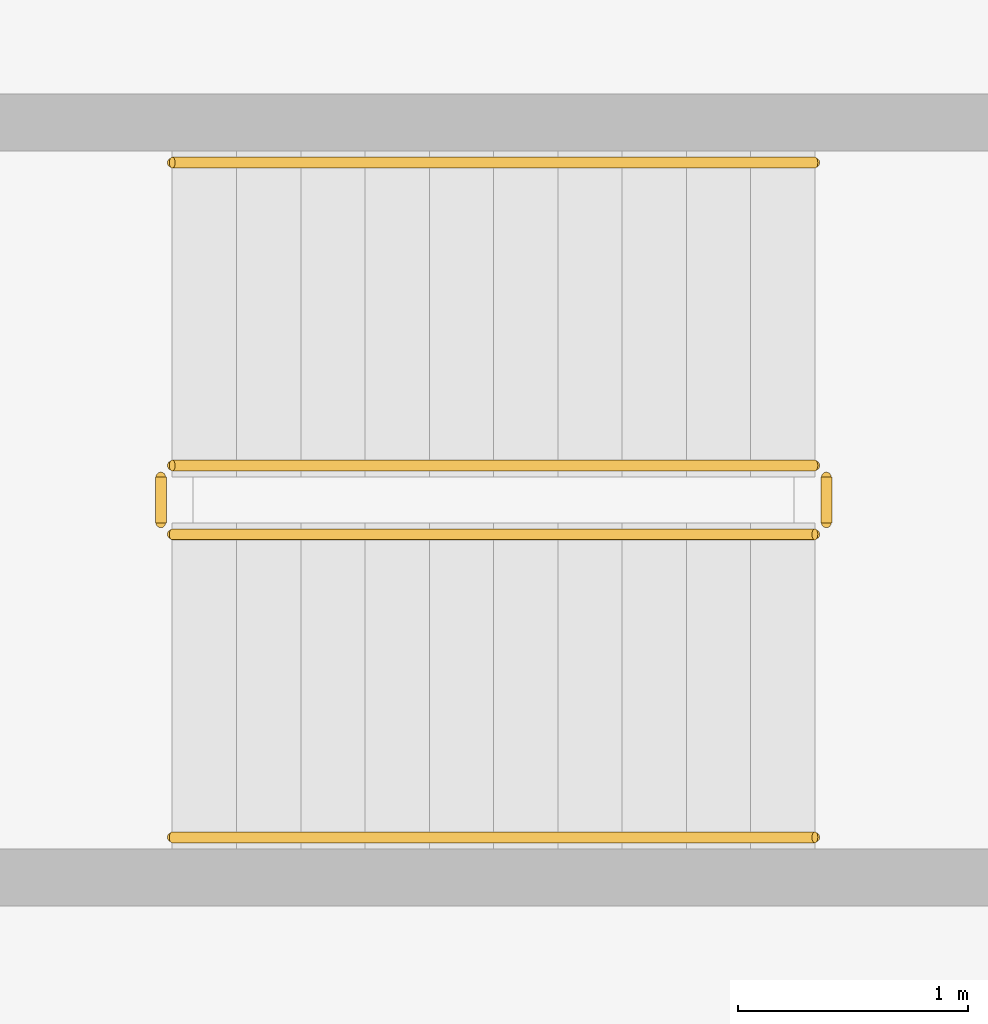
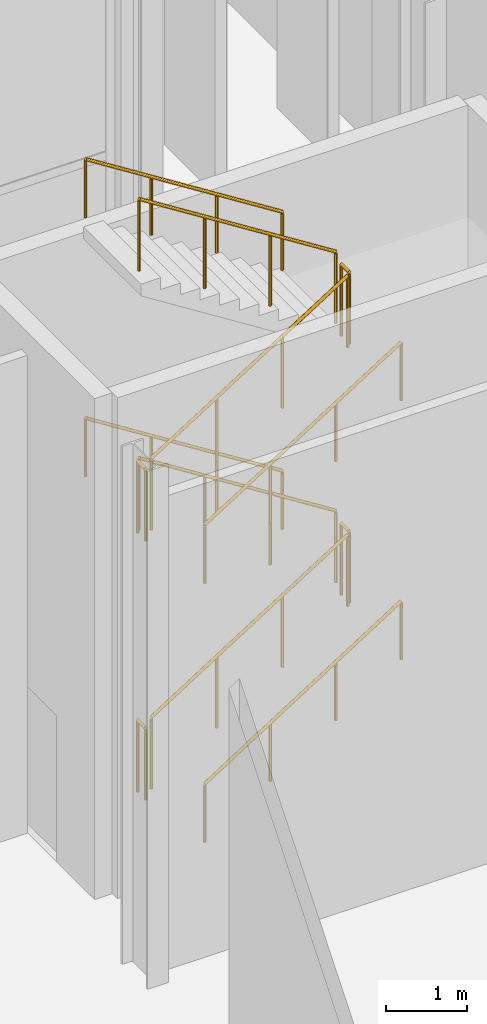
# One storey, part 166 of 176: 12 railings.
"""IFC4 building model written with IfcOpenShell, lengths in metres."""

import ifcopenshell
import ifcopenshell.guid

model = None  # the IFC model being written
_history = None  # IfcOwnerHistory: only IFC2X3 demands one
_inside = {}  # id of a spatial element -> (the spatial element, [elements in it])
_under = {}  # id of a project, library or spatial element -> (it, [spatial elements below it])
_declared = {}  # id of a project -> (the project, [libraries it declares])
_typed = {}  # id of a type object -> (the type object, [elements of that type])
_made_of = {}  # id of a material, layer set ... -> (it, [elements and type objects made of it])


def new_model(schema):
    """Start an empty IFC model of exactly this schema.

    Asked for "IFC4X3", IfcOpenShell would pick the latest addendum, in which some entities
    have other attributes; the version numbers below select the first issue.
    IFC2X3 requires an IfcOwnerHistory on every rooted entity: one is made here for all.
    """
    global model, _history
    if schema == "IFC4X3":
        model = ifcopenshell.file(schema_version=(4, 3, 0, 0))
    else:
        model = ifcopenshell.file(schema=schema)
    _inside.clear()
    _under.clear()
    _declared.clear()
    _typed.clear()
    _made_of.clear()
    _history = None
    if model.schema == "IFC2X3":
        org = make("IfcOrganization", Name="unknown")
        user = make(
            "IfcPersonAndOrganization",
            ThePerson=make("IfcPerson", FamilyName="unknown"),
            TheOrganization=org,
        )
        app = make(
            "IfcApplication",
            ApplicationDeveloper=org,
            Version="unknown",
            ApplicationFullName="unknown",
            ApplicationIdentifier="unknown",
        )
        _history = make(
            "IfcOwnerHistory",
            OwningUser=user,
            OwningApplication=app,
            ChangeAction="ADDED",
            CreationDate=0,
        )
    return model


def make(cls, **values):
    """One entity of the class cls with the attributes given. An attribute that is None is left unset."""
    return model.create_entity(
        cls, **{name: value for name, value in values.items() if value is not None}
    )


def rooted(cls, **values):
    """An entity with a GlobalId (a new one), such as an element, a storey or a relation."""
    return make(cls, GlobalId=ifcopenshell.guid.new(), OwnerHistory=_history, **values)


def si_unit(unit_type, name, prefix=None):
    """IfcSIUnit, for example si_unit("LENGTHUNIT", "METRE", prefix="MILLI")."""
    return make("IfcSIUnit", UnitType=unit_type, Prefix=prefix, Name=name)


def assignment(units):
    """IfcUnitAssignment: the units of a project."""
    return None if units is None else make("IfcUnitAssignment", Units=units)


def point(xyz):
    """IfcCartesianPoint."""
    return None if xyz is None else make("IfcCartesianPoint", Coordinates=xyz)


def direction(xyz):
    """IfcDirection."""
    return None if xyz is None else make("IfcDirection", DirectionRatios=xyz)


def frame(location, z_axis=None, x_axis=None):
    """IfcAxis2Placement3D, a coordinate frame: its origin and axes. An axis left out is left unset."""
    return make(
        "IfcAxis2Placement3D",
        Location=point(location),
        Axis=direction(z_axis),
        RefDirection=direction(x_axis),
    )


def frame_2d(location, x_axis=None):
    """IfcAxis2Placement2D, a coordinate frame in the plane: its origin and x axis."""
    return make(
        "IfcAxis2Placement2D", Location=point(location), RefDirection=direction(x_axis)
    )


def origin():
    """The frame at (0, 0, 0) with its axes left unset."""
    return frame((0.0, 0.0, 0.0))


def origin_2d():
    """The frame at (0, 0) in the plane with its x axis left unset."""
    return frame_2d((0.0, 0.0))


def place(relative_to, where):
    """IfcLocalPlacement: puts the frame where relative to a parent placement (None: the world)."""
    return make(
        "IfcLocalPlacement", PlacementRelTo=relative_to, RelativePlacement=where
    )


def context(
    kind, dimensions, precision=None, world=None, true_north=None, identifier=None
):
    """IfcGeometricRepresentationContext, for example the 3D "Model" context."""
    return make(
        "IfcGeometricRepresentationContext",
        ContextIdentifier=identifier,
        ContextType=kind,
        CoordinateSpaceDimension=dimensions,
        Precision=precision,
        WorldCoordinateSystem=world,
        TrueNorth=true_north,
    )


def subcontext(parent, identifier, kind, view, scale=None):
    """IfcGeometricRepresentationSubContext, for example "Body" below "Model"."""
    return make(
        "IfcGeometricRepresentationSubContext",
        ContextIdentifier=identifier,
        ContextType=kind,
        ParentContext=parent,
        TargetScale=scale,
        TargetView=view,
    )


def project(units=None, contexts=None):
    """IfcProject with its units and contexts."""
    return rooted(
        "IfcProject",
        Name="project",
        RepresentationContexts=contexts,
        UnitsInContext=assignment(units),
    )


def spatial(cls, under=None, at=None, **own):
    """A site, building, storey or space (cls), placed at a placement, below another one or the project."""
    s = rooted(cls, ObjectPlacement=at, **own)
    if under is not None:
        _under.setdefault(under.id(), (under, []))[1].append(s)
    return s


def profile(cls, at=None, kind="AREA", **sizes):
    """A parametric profile (cls). Its sizes go by their IFC names, for example OverallWidth=200.0."""
    return make(cls, ProfileType=kind, Position=at, **sizes)


def circle(**sizes):
    """IfcCircleProfileDef."""
    return profile("IfcCircleProfileDef", **sizes)


def extrude(swept, where, along, depth):
    """IfcExtrudedAreaSolid: the profile swept, set in the frame where, extruded along a direction by depth."""
    return make(
        "IfcExtrudedAreaSolid",
        SweptArea=swept,
        Position=where,
        ExtrudedDirection=direction(along),
        Depth=depth,
    )


def shape(context_of_items, identifier, shape_type, items):
    """IfcShapeRepresentation: the items that make up one representation, for example the "Body"."""
    return make(
        "IfcShapeRepresentation",
        ContextOfItems=context_of_items,
        RepresentationIdentifier=identifier,
        RepresentationType=shape_type,
        Items=items,
    )


def material(Name=None, Category=None):
    """IfcMaterial."""
    return make("IfcMaterial", Name=Name, Category=Category)


def made_of(thing, what):
    """Note that an element or type object is made of a material, layer set ...; save() writes the relation."""
    if what is not None:
        _made_of.setdefault(what.id(), (what, []))[1].append(thing)
    return thing


def type_object(cls, material=None, **own):
    """A type object (cls), such as IfcWallType, which elements share."""
    return made_of(rooted(cls, **own), material)


def element(
    cls,
    number,
    at=None,
    inside=None,
    cuts=None,
    type_object=None,
    material=None,
    context=None,
    identifier="Body",
    shape_type=None,
    held_by="IfcProductDefinitionShape",
    body=None,
    shapes=None,
    **own,
):
    """One element of the class cls, such as IfcWall. Its Tag is "e" and its number.

    at: its placement. inside: the storey or other place that contains it. cuts: it is an
    opening in that element (IfcRelVoidsElement). A single representation is given by context,
    identifier, shape_type and body (its items); several are given by shapes. held_by: the class
    of the entity that holds the representations. save() writes the other relations.
    """
    e = rooted(cls, Tag="e%d" % number, ObjectPlacement=at, **own)
    if body is not None:
        shapes = [shape(context, identifier, shape_type, body)]
    if shapes is not None:
        e.Representation = make(held_by, Representations=shapes)
    if inside is not None:
        _inside.setdefault(inside.id(), (inside, []))[1].append(e)
    if cuts is not None:
        rooted(
            "IfcRelVoidsElement", RelatingBuildingElement=cuts, RelatedOpeningElement=e
        )
    if type_object is not None:
        _typed.setdefault(type_object.id(), (type_object, []))[1].append(e)
    return made_of(e, material)


def aggregate(whole, parts):
    """IfcRelAggregates: a whole, such as a stair, and the parts it consists of."""
    return rooted("IfcRelAggregates", RelatingObject=whole, RelatedObjects=parts)


def save(model, path):
    """Write the relations noted so far, then the file.

    IfcRelAggregates (storeys below a building ...), IfcRelContainedInSpatialStructure (elements
    in a storey), IfcRelDefinesByType, IfcRelAssociatesMaterial and IfcRelDeclares: one each for
    every whole, place, type object, material and project.
    """
    for whole, parts in _under.values():
        aggregate(whole, parts)
    for where, things in _inside.values():
        rooted(
            "IfcRelContainedInSpatialStructure",
            RelatedElements=things,
            RelatingStructure=where,
        )
    for kind, things in _typed.values():
        rooted("IfcRelDefinesByType", RelatedObjects=things, RelatingType=kind)
    for what, things in _made_of.values():
        rooted("IfcRelAssociatesMaterial", RelatedObjects=things, RelatingMaterial=what)
    for by, libraries in _declared.values():
        rooted("IfcRelDeclares", RelatingContext=by, RelatedDefinitions=libraries)
    model.write(path)


model = new_model("IFC4")

# Units and contexts
model_context = context("Model", 3, precision=1e-05, world=origin(), true_north=direction((0.0, 1.0)))
body_context = subcontext(model_context, "Body", "Model", "MODEL_VIEW")
ifc_project = project(units=[si_unit("LENGTHUNIT", "METRE"), si_unit("AREAUNIT", "SQUARE_METRE"), si_unit("VOLUMEUNIT", "CUBIC_METRE"), si_unit("PLANEANGLEUNIT", "RADIAN"), si_unit("MASSUNIT", "GRAM", prefix="KILO")], contexts=[model_context])

# Site, building, storey
site_placement = place(None, origin())
site = spatial("IfcSite", under=ifc_project, at=site_placement, CompositionType="ELEMENT")
building_placement = place(site_placement, origin())
building = spatial("IfcBuilding", under=site, at=building_placement, Name="Vekula Escarpment Museum", CompositionType="ELEMENT")
storey_placement = place(building_placement, origin())
storey = spatial("IfcBuildingStorey", under=building, at=storey_placement, Name="L01", CompositionType="ELEMENT", Elevation=0.0)

# Railings
ifc_material_1 = material(Name="Painted Steel S355 stair guard", Category="steel")
railing_type_1 = type_object("IfcRailingType", Name="RL-STAIR-GUARD", PredefinedType="GUARDRAIL", material=ifc_material_1)
railing_1_placement = place(storey_placement, frame((87.919921875, 79.570068359375, 0.17724609375)))
element("IfcRailing", 1, at=railing_1_placement, inside=storey, type_object=railing_type_1, Name="L01 ST-09 stair guard 1", PredefinedType="GUARDRAIL", context=body_context, shape_type="SweptSolid", body=[
    extrude(circle(Radius=0.02392578125, at=origin_2d()), frame((0.0, 0.0, 1.076171875), z_axis=(0.844908973607, 0.0, 0.534910110503), x_axis=(0.0, 1.0, 0.0)), (0.0, 0.0, 1.0), 3.31396484375),
    extrude(circle(Radius=0.02099609375, at=origin_2d()), origin(), (0.0, 0.0, 1.0), 1.052001953125),
    extrude(circle(Radius=0.02099609375, at=origin_2d()), frame((0.933349609375, 0.0, 0.5908203125)), (0.0, 0.0, 1.0), 1.052001953125),
    extrude(circle(Radius=0.02099609375, at=origin_2d()), frame((1.86669921875, 0.0, 1.181884765625)), (0.0, 0.0, 1.0), 1.052001953125),
    extrude(circle(Radius=0.02099609375, at=origin_2d()), frame((2.800048828125, 0.0, 1.772705078125)), (0.0, 0.0, 1.0), 1.052001953125),
])
railing_2_placement = place(storey_placement, frame((90.77001953125, 79.6201171875, 1.949951171875)))
element("IfcRailing", 2, at=railing_2_placement, inside=storey, type_object=railing_type_1, Name="L01 ST-09 stair guard 2", PredefinedType="GUARDRAIL", context=body_context, shape_type="SweptSolid", body=[
    extrude(circle(Radius=0.02392578125, at=origin_2d()), frame((0.0, 0.0, 1.076171875), z_axis=(0.0, 1.0, 0.0), x_axis=(-1.0, 0.0, 0.0)), (0.0, 0.0, 1.0), 0.199951171875),
    extrude(circle(Radius=0.02099609375, at=origin_2d()), origin(), (0.0, 0.0, 1.0), 1.052001953125),
    extrude(circle(Radius=0.02099609375, at=origin_2d()), frame((0.0, 0.199951171875, 0.0)), (0.0, 0.0, 1.0), 1.052001953125),
])
railing_3_placement = place(storey_placement, frame((90.719970703125, 79.8701171875, 2.127197265625)))
element("IfcRailing", 3, at=railing_3_placement, inside=storey, type_object=railing_type_1, Name="L01 ST-09 stair guard 3", PredefinedType="GUARDRAIL", context=body_context, shape_type="SweptSolid", body=[
    extrude(circle(Radius=0.02392578125, at=origin_2d()), frame((0.0, 0.0, 1.076171875), z_axis=(-0.844908973607, 0.0, 0.534910110503), x_axis=(0.0, -1.0, 0.0)), (0.0, 0.0, 1.0), 3.31396484375),
    extrude(circle(Radius=0.02099609375, at=origin_2d()), origin(), (0.0, 0.0, 1.0), 1.052001953125),
    extrude(circle(Radius=0.02099609375, at=origin_2d()), frame((-0.933349609375, 0.0, 0.5908203125)), (0.0, 0.0, 1.0), 1.052001953125),
    extrude(circle(Radius=0.02099609375, at=origin_2d()), frame((-1.86669921875, 0.0, 1.181884765625)), (0.0, 0.0, 1.0), 1.052001953125),
    extrude(circle(Radius=0.02099609375, at=origin_2d()), frame((-2.800048828125, 0.0, 1.772705078125)), (0.0, 0.0, 1.0), 1.052001953125),
])
railing_4_placement = place(storey_placement, frame((87.8701171875, 79.6201171875, 3.89990234375)))
element("IfcRailing", 4, at=railing_4_placement, inside=storey, type_object=railing_type_1, Name="L01 ST-09 stair guard 4", PredefinedType="GUARDRAIL", context=body_context, shape_type="SweptSolid", body=[
    extrude(circle(Radius=0.02392578125, at=origin_2d()), frame((0.0, 0.0, 1.076171875), z_axis=(0.0, 1.0, 0.0), x_axis=(-1.0, 0.0, 0.0)), (0.0, 0.0, 1.0), 0.199951171875),
    extrude(circle(Radius=0.02099609375, at=origin_2d()), origin(), (0.0, 0.0, 1.0), 1.052001953125),
    extrude(circle(Radius=0.02099609375, at=origin_2d()), frame((0.0, 0.199951171875, 0.0)), (0.0, 0.0, 1.0), 1.052001953125),
])
railing_5_placement = place(storey_placement, frame((87.919921875, 79.570068359375, 4.077392578125)))
element("IfcRailing", 5, at=railing_5_placement, inside=storey, type_object=railing_type_1, Name="L01 ST-09 stair guard 5", PredefinedType="GUARDRAIL", context=body_context, shape_type="SweptSolid", body=[
    extrude(circle(Radius=0.02392578125, at=origin_2d()), frame((0.0, 0.0, 1.076171875), z_axis=(0.844908973607, 0.0, 0.534910110503), x_axis=(0.0, 1.0, 0.0)), (0.0, 0.0, 1.0), 3.31396484375),
    extrude(circle(Radius=0.02099609375, at=origin_2d()), origin(), (0.0, 0.0, 1.0), 1.052001953125),
    extrude(circle(Radius=0.02099609375, at=origin_2d()), frame((0.933349609375, 0.0, 0.5908203125)), (0.0, 0.0, 1.0), 1.052001953125),
    extrude(circle(Radius=0.02099609375, at=origin_2d()), frame((1.86669921875, 0.0, 1.181884765625)), (0.0, 0.0, 1.0), 1.052001953125),
    extrude(circle(Radius=0.02099609375, at=origin_2d()), frame((2.800048828125, 0.0, 1.772705078125)), (0.0, 0.0, 1.0), 1.052001953125),
])
railing_6_placement = place(storey_placement, frame((90.77001953125, 79.6201171875, 5.85009765625)))
element("IfcRailing", 6, at=railing_6_placement, inside=storey, type_object=railing_type_1, Name="L01 ST-09 stair guard 6", PredefinedType="GUARDRAIL", context=body_context, shape_type="SweptSolid", body=[
    extrude(circle(Radius=0.02392578125, at=origin_2d()), frame((0.0, 0.0, 1.076171875), z_axis=(0.0, 1.0, 0.0), x_axis=(-1.0, 0.0, 0.0)), (0.0, 0.0, 1.0), 0.199951171875),
    extrude(circle(Radius=0.02099609375, at=origin_2d()), origin(), (0.0, 0.0, 1.0), 1.052001953125),
    extrude(circle(Radius=0.02099609375, at=origin_2d()), frame((0.0, 0.199951171875, 0.0)), (0.0, 0.0, 1.0), 1.052001953125),
])
railing_7_placement = place(storey_placement, frame((90.719970703125, 79.8701171875, 6.02734375)))
element("IfcRailing", 7, at=railing_7_placement, inside=storey, type_object=railing_type_1, Name="L01 ST-09 stair guard 7", PredefinedType="GUARDRAIL", context=body_context, shape_type="SweptSolid", body=[
    extrude(circle(Radius=0.02392578125, at=origin_2d()), frame((0.0, 0.0, 1.076171875), z_axis=(-0.844908973607, 0.0, 0.534910110503), x_axis=(0.0, -1.0, 0.0)), (0.0, 0.0, 1.0), 3.31396484375),
    extrude(circle(Radius=0.02099609375, at=origin_2d()), origin(), (0.0, 0.0, 1.0), 1.052001953125),
    extrude(circle(Radius=0.02099609375, at=origin_2d()), frame((-0.933349609375, 0.0, 0.5908203125)), (0.0, 0.0, 1.0), 1.052001953125),
    extrude(circle(Radius=0.02099609375, at=origin_2d()), frame((-1.86669921875, 0.0, 1.181884765625)), (0.0, 0.0, 1.0), 1.052001953125),
    extrude(circle(Radius=0.02099609375, at=origin_2d()), frame((-2.800048828125, 0.0, 1.772705078125)), (0.0, 0.0, 1.0), 1.052001953125),
])
railing_8_placement = place(storey_placement, frame((87.8701171875, 79.6201171875, 0.0)))
element("IfcRailing", 8, at=railing_8_placement, inside=storey, type_object=railing_type_1, Name="L01 ST-09 stair guard 8", PredefinedType="GUARDRAIL", context=body_context, shape_type="SweptSolid", body=[
    extrude(circle(Radius=0.02392578125, at=origin_2d()), frame((0.0, 0.0, 1.076171875), z_axis=(0.0, 1.0, 0.0), x_axis=(-1.0, 0.0, 0.0)), (0.0, 0.0, 1.0), 0.199951171875),
    extrude(circle(Radius=0.02099609375, at=origin_2d()), origin(), (0.0, 0.0, 1.0), 1.052001953125),
    extrude(circle(Radius=0.02099609375, at=origin_2d()), frame((0.0, 0.199951171875, 0.0)), (0.0, 0.0, 1.0), 1.052001953125),
])
ifc_material_2 = material(Name="Brushed stainless steel handrail", Category="steel")
railing_type_2 = type_object("IfcRailingType", Name="RL-STAIR-HAND", PredefinedType="HANDRAIL", material=ifc_material_2)
railing_9_placement = place(storey_placement, frame((87.919921875, 78.25, 0.17724609375)))
element("IfcRailing", 9, at=railing_9_placement, inside=storey, type_object=railing_type_2, Name="L01 ST-09 stair handrail 1", PredefinedType="HANDRAIL", context=body_context, shape_type="SweptSolid", body=[
    extrude(circle(Radius=0.02392578125, at=origin_2d()), frame((0.0, 0.0, 0.8759765625), z_axis=(0.844908973607, 0.0, 0.534910110503), x_axis=(0.0, 1.0, 0.0)), (0.0, 0.0, 1.0), 3.31396484375),
    extrude(circle(Radius=0.02099609375, at=origin_2d()), origin(), (0.0, 0.0, 1.0), 0.851806640625),
    extrude(circle(Radius=0.02099609375, at=origin_2d()), frame((0.933349609375, 0.0, 0.5908203125)), (0.0, 0.0, 1.0), 0.851806640625),
    extrude(circle(Radius=0.02099609375, at=origin_2d()), frame((1.86669921875, 0.0, 1.181884765625)), (0.0, 0.0, 1.0), 0.851806640625),
    extrude(circle(Radius=0.02099609375, at=origin_2d()), frame((2.800048828125, 0.0, 1.772705078125)), (0.0, 0.0, 1.0), 0.851806640625),
])
railing_10_placement = place(storey_placement, frame((90.719970703125, 81.18994140625, 2.127197265625)))
element("IfcRailing", 10, at=railing_10_placement, inside=storey, type_object=railing_type_2, Name="L01 ST-09 stair handrail 2", PredefinedType="HANDRAIL", context=body_context, shape_type="SweptSolid", body=[
    extrude(circle(Radius=0.02392578125, at=origin_2d()), frame((0.0, 0.0, 0.8759765625), z_axis=(-0.844908973607, 0.0, 0.534910110503), x_axis=(0.0, -1.0, 0.0)), (0.0, 0.0, 1.0), 3.31396484375),
    extrude(circle(Radius=0.02099609375, at=origin_2d()), origin(), (0.0, 0.0, 1.0), 0.851806640625),
    extrude(circle(Radius=0.02099609375, at=origin_2d()), frame((-0.933349609375, 0.0, 0.5908203125)), (0.0, 0.0, 1.0), 0.851806640625),
    extrude(circle(Radius=0.02099609375, at=origin_2d()), frame((-1.86669921875, 0.0, 1.181884765625)), (0.0, 0.0, 1.0), 0.851806640625),
    extrude(circle(Radius=0.02099609375, at=origin_2d()), frame((-2.800048828125, 0.0, 1.772705078125)), (0.0, 0.0, 1.0), 0.851806640625),
])
railing_11_placement = place(storey_placement, frame((87.919921875, 78.25, 4.077392578125)))
element("IfcRailing", 11, at=railing_11_placement, inside=storey, type_object=railing_type_2, Name="L01 ST-09 stair handrail 3", PredefinedType="HANDRAIL", context=body_context, shape_type="SweptSolid", body=[
    extrude(circle(Radius=0.02392578125, at=origin_2d()), frame((0.0, 0.0, 0.8759765625), z_axis=(0.844908973607, 0.0, 0.534910110503), x_axis=(0.0, 1.0, 0.0)), (0.0, 0.0, 1.0), 3.31396484375),
    extrude(circle(Radius=0.02099609375, at=origin_2d()), origin(), (0.0, 0.0, 1.0), 0.851806640625),
    extrude(circle(Radius=0.02099609375, at=origin_2d()), frame((0.933349609375, 0.0, 0.5908203125)), (0.0, 0.0, 1.0), 0.851806640625),
    extrude(circle(Radius=0.02099609375, at=origin_2d()), frame((1.86669921875, 0.0, 1.181884765625)), (0.0, 0.0, 1.0), 0.851806640625),
    extrude(circle(Radius=0.02099609375, at=origin_2d()), frame((2.800048828125, 0.0, 1.772705078125)), (0.0, 0.0, 1.0), 0.851806640625),
])
railing_12_placement = place(storey_placement, frame((90.719970703125, 81.18994140625, 6.02734375)))
element("IfcRailing", 12, at=railing_12_placement, inside=storey, type_object=railing_type_2, Name="L01 ST-09 stair handrail 4", PredefinedType="HANDRAIL", context=body_context, shape_type="SweptSolid", body=[
    extrude(circle(Radius=0.02392578125, at=origin_2d()), frame((0.0, 0.0, 0.8759765625), z_axis=(-0.844908973607, 0.0, 0.534910110503), x_axis=(0.0, -1.0, 0.0)), (0.0, 0.0, 1.0), 3.31396484375),
    extrude(circle(Radius=0.02099609375, at=origin_2d()), origin(), (0.0, 0.0, 1.0), 0.851806640625),
    extrude(circle(Radius=0.02099609375, at=origin_2d()), frame((-0.933349609375, 0.0, 0.5908203125)), (0.0, 0.0, 1.0), 0.851806640625),
    extrude(circle(Radius=0.02099609375, at=origin_2d()), frame((-1.86669921875, 0.0, 1.181884765625)), (0.0, 0.0, 1.0), 0.851806640625),
    extrude(circle(Radius=0.02099609375, at=origin_2d()), frame((-2.800048828125, 0.0, 1.772705078125)), (0.0, 0.0, 1.0), 0.851806640625),
])

save(model, "model.ifc")
